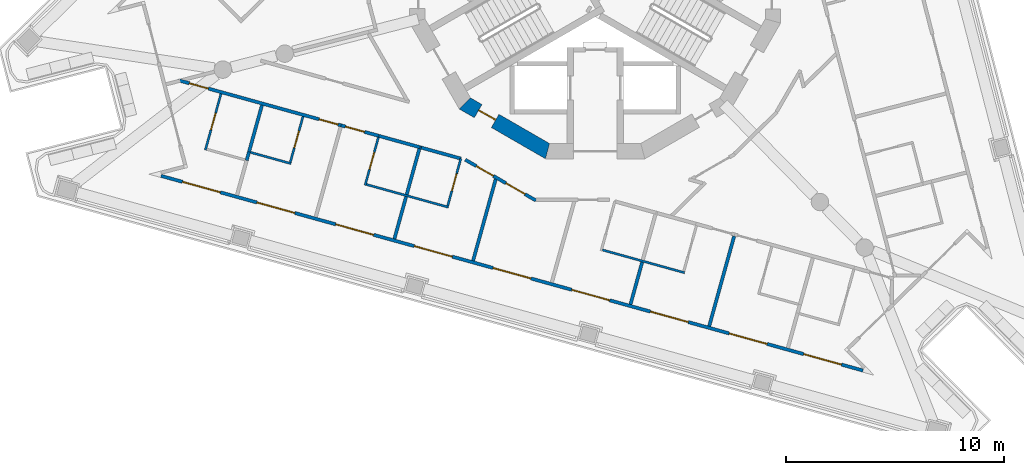
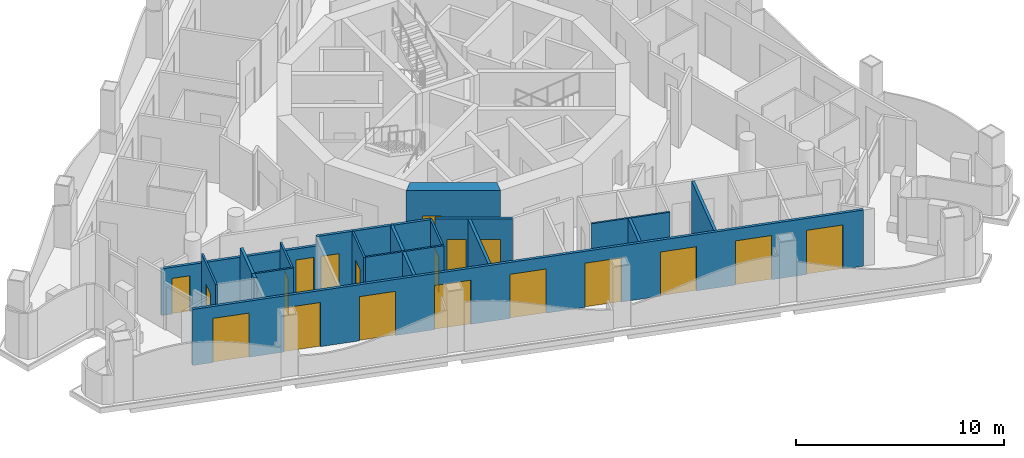
# One storey, part 2 of 15: 21 walls, 19 doors, 19 openings.
"""IFC4 building model written with IfcOpenShell, lengths in metres."""

from ifc_helpers import new_model, si_unit, direction, frame, frame_2d, origin, place, context, subcontext, project, spatial, polyline, rectangle, outline, extrude, material, layer, layer_set, type_object, element, fill, save


model = new_model("IFC4")

# Units and contexts
model_context = context("Model", 3, precision=1e-05, world=origin(), true_north=direction((0.0, 1.0)))
body_context = subcontext(model_context, "Body", "Model", "MODEL_VIEW")
ifc_project = project(units=[si_unit("LENGTHUNIT", "METRE"), si_unit("AREAUNIT", "SQUARE_METRE"), si_unit("VOLUMEUNIT", "CUBIC_METRE"), si_unit("PLANEANGLEUNIT", "RADIAN"), si_unit("MASSUNIT", "GRAM", prefix="KILO")], contexts=[model_context])

# Site, building, storey
site_placement = place(None, origin())
site = spatial("IfcSite", under=ifc_project, at=site_placement, CompositionType="ELEMENT")
building_placement = place(site_placement, origin())
building = spatial("IfcBuilding", under=site, at=building_placement, Name="Trine Commons Tower", CompositionType="ELEMENT")
storey_placement = place(building_placement, frame((0.0, 0.0, 260.10009765625)))
storey = spatial("IfcBuildingStorey", under=building, at=storey_placement, Name="L68", CompositionType="ELEMENT", Elevation=260.10009765625)

# Wall, openings, doors
ifc_material_1 = material(Name="Aluminium-framed insulated wall panel", Category="aluminium")
ifc_layer_1 = layer(ifc_material_1, 0.14990234375)
ifc_layer_set_1 = layer_set([ifc_layer_1], Name="Aluminium-framed insulated wall panel")
wall_type_1 = type_object("IfcWallType", Name="Glazed frame wall 150, EI 60", PredefinedType="SOLIDWALL", material=ifc_layer_set_1)
wall_1_placement = place(storey_placement, frame((92.4189453125, 44.2548828125, 0.0), z_axis=(0.0, 0.0, 1.0), x_axis=(-0.963630586427, 0.267237895708, 0.0)))
wall_1 = element("IfcWall", 1, at=wall_1_placement, inside=storey, type_object=wall_type_1, Name="Glazed frame wall F3", PredefinedType="SOLIDWALL", context=body_context, shape_type="SweptSolid", body=[
    extrude(outline(polyline([(0.1494140625, 0.074951171875), (0.1494140625, -0.074951171875), (33.536865234375, -0.074951171875), (33.536865234375, 0.074951171875), (0.1494140625, 0.074951171875)])), origin(), (0.0, 0.0, 1.0), 3.2998046875),
])
opening_1_placement = place(wall_1_placement, frame((1.17138671875, 0.0, 0.0)))
opening_1 = element("IfcOpeningElement", 2, at=opening_1_placement, cuts=wall_1, Name="Opening BD-7F3-01", PredefinedType="OPENING", context=body_context, shape_type="SweptSolid", body=[
    extrude(rectangle(XDim=1.800048828125, YDim=2.60009765625, at=frame_2d((0.89990234375, 1.300048828125))), frame((0.0, 0.0849609375, 0.0), z_axis=(0.0, -1.0, 0.0), x_axis=(1.0, 0.0, 0.0)), (0.0, 0.0, 1.0), 0.169921875),
])
opening_2_placement = place(wall_1_placement, frame((4.71435546875, 0.0, 0.0)))
opening_2 = element("IfcOpeningElement", 3, at=opening_2_placement, cuts=wall_1, Name="Opening BD-7F3-02", PredefinedType="OPENING", context=body_context, shape_type="SweptSolid", body=[
    extrude(rectangle(XDim=1.800048828125, YDim=2.60009765625, at=frame_2d((0.89990234375, 1.300048828125))), frame((0.0, 0.0849609375, 0.0), z_axis=(0.0, -1.0, 0.0), x_axis=(1.0, 0.0, 0.0)), (0.0, 0.0, 1.0), 0.169921875),
])
opening_3_placement = place(wall_1_placement, frame((8.457275390625, 0.0, 0.0)))
opening_3 = element("IfcOpeningElement", 4, at=opening_3_placement, cuts=wall_1, Name="Opening BD-7F3-03", PredefinedType="OPENING", context=body_context, shape_type="SweptSolid", body=[
    extrude(rectangle(XDim=1.800048828125, YDim=2.60009765625, at=frame_2d((0.89990234375, 1.300048828125))), frame((0.0, 0.0849609375, 0.0), z_axis=(0.0, -1.0, 0.0), x_axis=(1.0, 0.0, 0.0)), (0.0, 0.0, 1.0), 0.169921875),
])
opening_4_placement = place(wall_1_placement, frame((12.2001953125, 0.0, 0.0)))
opening_4 = element("IfcOpeningElement", 5, at=opening_4_placement, cuts=wall_1, Name="Opening BD-7F3-04", PredefinedType="OPENING", context=body_context, shape_type="SweptSolid", body=[
    extrude(rectangle(XDim=1.800048828125, YDim=2.60009765625, at=frame_2d((0.89990234375, 1.300048828125))), frame((0.0, 0.0849609375, 0.0), z_axis=(0.0, -1.0, 0.0), x_axis=(1.0, 0.0, 0.0)), (0.0, 0.0, 1.0), 0.169921875),
])
opening_5_placement = place(wall_1_placement, frame((15.943115234375, 0.0, 0.0)))
opening_5 = element("IfcOpeningElement", 6, at=opening_5_placement, cuts=wall_1, Name="Opening BD-7F3-05", PredefinedType="OPENING", context=body_context, shape_type="SweptSolid", body=[
    extrude(rectangle(XDim=1.800048828125, YDim=2.60009765625, at=frame_2d((0.89990234375, 1.300048828125))), frame((0.0, 0.0849609375, 0.0), z_axis=(0.0, -1.0, 0.0), x_axis=(1.0, 0.0, 0.0)), (0.0, 0.0, 1.0), 0.169921875),
])
opening_6_placement = place(wall_1_placement, frame((19.68603515625, 0.0, 0.0)))
opening_6 = element("IfcOpeningElement", 7, at=opening_6_placement, cuts=wall_1, Name="Opening BD-7F3-06", PredefinedType="OPENING", context=body_context, shape_type="SweptSolid", body=[
    extrude(rectangle(XDim=1.800048828125, YDim=2.60009765625, at=frame_2d((0.89990234375, 1.300048828125))), frame((0.0, 0.0849609375, 0.0), z_axis=(0.0, -1.0, 0.0), x_axis=(1.0, 0.0, 0.0)), (0.0, 0.0, 1.0), 0.169921875),
])
opening_7_placement = place(wall_1_placement, frame((23.428955078125, 0.0, 0.0)))
opening_7 = element("IfcOpeningElement", 8, at=opening_7_placement, cuts=wall_1, Name="Opening BD-7F3-07", PredefinedType="OPENING", context=body_context, shape_type="SweptSolid", body=[
    extrude(rectangle(XDim=1.800048828125, YDim=2.60009765625, at=frame_2d((0.89990234375, 1.300048828125))), frame((0.0, 0.0849609375, 0.0), z_axis=(0.0, -1.0, 0.0), x_axis=(1.0, 0.0, 0.0)), (0.0, 0.0, 1.0), 0.169921875),
])
opening_8_placement = place(wall_1_placement, frame((27.171875, 0.0, 0.0)))
opening_8 = element("IfcOpeningElement", 9, at=opening_8_placement, cuts=wall_1, Name="Opening BD-7F3-08", PredefinedType="OPENING", context=body_context, shape_type="SweptSolid", body=[
    extrude(rectangle(XDim=1.800048828125, YDim=2.60009765625, at=frame_2d((0.89990234375, 1.300048828125))), frame((0.0, 0.0849609375, 0.0), z_axis=(0.0, -1.0, 0.0), x_axis=(1.0, 0.0, 0.0)), (0.0, 0.0, 1.0), 0.169921875),
])
opening_9_placement = place(wall_1_placement, frame((30.714599609375, 0.0, 0.0)))
opening_9 = element("IfcOpeningElement", 10, at=opening_9_placement, cuts=wall_1, Name="Opening BD-7F3-09", PredefinedType="OPENING", context=body_context, shape_type="SweptSolid", body=[
    extrude(rectangle(XDim=1.800048828125, YDim=2.60009765625, at=frame_2d((0.89990234375, 1.300048828125))), frame((0.0, 0.0849609375, 0.0), z_axis=(0.0, -1.0, 0.0), x_axis=(1.0, 0.0, 0.0)), (0.0, 0.0, 1.0), 0.169921875),
])
ifc_material_2 = material(Name="Anodised aluminium frame with double glazing", Category="aluminium")
door_type_1 = type_object("IfcDoorType", Name="Sliding loggia door 1800x2600", OperationType="SLIDING_TO_LEFT", PredefinedType="DOOR", material=ifc_material_2)
door_1_placement = place(opening_1_placement, origin())
door_1 = element("IfcDoor", 11, at=door_1_placement, inside=storey, type_object=door_type_1, Name="Loggia door F3 1", OperationType="SLIDING_TO_LEFT", OverallHeight=2.60009765625, OverallWidth=1.800048828125, PredefinedType="DOOR", context=body_context, shape_type="SweptSolid", body=[
    extrude(rectangle(XDim=1.800048828125, YDim=2.60009765625, at=frame_2d((0.89990234375, 1.300048828125))), frame((0.0, 0.02490234375, 0.0), z_axis=(0.0, -1.0, 0.0), x_axis=(1.0, 0.0, 0.0)), (0.0, 0.0, 1.0), 0.050048828125),
])
fill(opening_1, door_1)
door_2_placement = place(opening_2_placement, origin())
door_2 = element("IfcDoor", 12, at=door_2_placement, inside=storey, type_object=door_type_1, Name="Loggia door F3 2", OperationType="SLIDING_TO_LEFT", OverallHeight=2.60009765625, OverallWidth=1.800048828125, PredefinedType="DOOR", context=body_context, shape_type="SweptSolid", body=[
    extrude(rectangle(XDim=1.800048828125, YDim=2.60009765625, at=frame_2d((0.89990234375, 1.300048828125))), frame((0.0, 0.02490234375, 0.0), z_axis=(0.0, -1.0, 0.0), x_axis=(1.0, 0.0, 0.0)), (0.0, 0.0, 1.0), 0.050048828125),
])
fill(opening_2, door_2)
door_3_placement = place(opening_3_placement, origin())
door_3 = element("IfcDoor", 13, at=door_3_placement, inside=storey, type_object=door_type_1, Name="Loggia door F3 3", OperationType="SLIDING_TO_LEFT", OverallHeight=2.60009765625, OverallWidth=1.800048828125, PredefinedType="DOOR", context=body_context, shape_type="SweptSolid", body=[
    extrude(rectangle(XDim=1.800048828125, YDim=2.60009765625, at=frame_2d((0.89990234375, 1.300048828125))), frame((0.0, 0.02490234375, 0.0), z_axis=(0.0, -1.0, 0.0), x_axis=(1.0, 0.0, 0.0)), (0.0, 0.0, 1.0), 0.050048828125),
])
fill(opening_3, door_3)
door_4_placement = place(opening_4_placement, origin())
door_4 = element("IfcDoor", 14, at=door_4_placement, inside=storey, type_object=door_type_1, Name="Loggia door F3 4", OperationType="SLIDING_TO_LEFT", OverallHeight=2.60009765625, OverallWidth=1.800048828125, PredefinedType="DOOR", context=body_context, shape_type="SweptSolid", body=[
    extrude(rectangle(XDim=1.800048828125, YDim=2.60009765625, at=frame_2d((0.89990234375, 1.300048828125))), frame((0.0, 0.02490234375, 0.0), z_axis=(0.0, -1.0, 0.0), x_axis=(1.0, 0.0, 0.0)), (0.0, 0.0, 1.0), 0.050048828125),
])
fill(opening_4, door_4)
door_5_placement = place(opening_5_placement, origin())
door_5 = element("IfcDoor", 15, at=door_5_placement, inside=storey, type_object=door_type_1, Name="Loggia door F3 5", OperationType="SLIDING_TO_LEFT", OverallHeight=2.60009765625, OverallWidth=1.800048828125, PredefinedType="DOOR", context=body_context, shape_type="SweptSolid", body=[
    extrude(rectangle(XDim=1.800048828125, YDim=2.60009765625, at=frame_2d((0.89990234375, 1.300048828125))), frame((0.0, 0.02490234375, 0.0), z_axis=(0.0, -1.0, 0.0), x_axis=(1.0, 0.0, 0.0)), (0.0, 0.0, 1.0), 0.050048828125),
])
fill(opening_5, door_5)
door_6_placement = place(opening_6_placement, origin())
door_6 = element("IfcDoor", 16, at=door_6_placement, inside=storey, type_object=door_type_1, Name="Loggia door F3 6", OperationType="SLIDING_TO_LEFT", OverallHeight=2.60009765625, OverallWidth=1.800048828125, PredefinedType="DOOR", context=body_context, shape_type="SweptSolid", body=[
    extrude(rectangle(XDim=1.800048828125, YDim=2.60009765625, at=frame_2d((0.89990234375, 1.300048828125))), frame((0.0, 0.02490234375, 0.0), z_axis=(0.0, -1.0, 0.0), x_axis=(1.0, 0.0, 0.0)), (0.0, 0.0, 1.0), 0.050048828125),
])
fill(opening_6, door_6)
door_7_placement = place(opening_7_placement, origin())
door_7 = element("IfcDoor", 17, at=door_7_placement, inside=storey, type_object=door_type_1, Name="Loggia door F3 7", OperationType="SLIDING_TO_LEFT", OverallHeight=2.60009765625, OverallWidth=1.800048828125, PredefinedType="DOOR", context=body_context, shape_type="SweptSolid", body=[
    extrude(rectangle(XDim=1.800048828125, YDim=2.60009765625, at=frame_2d((0.89990234375, 1.300048828125))), frame((0.0, 0.02490234375, 0.0), z_axis=(0.0, -1.0, 0.0), x_axis=(1.0, 0.0, 0.0)), (0.0, 0.0, 1.0), 0.050048828125),
])
fill(opening_7, door_7)
door_8_placement = place(opening_8_placement, origin())
door_8 = element("IfcDoor", 18, at=door_8_placement, inside=storey, type_object=door_type_1, Name="Loggia door F3 8", OperationType="SLIDING_TO_LEFT", OverallHeight=2.60009765625, OverallWidth=1.800048828125, PredefinedType="DOOR", context=body_context, shape_type="SweptSolid", body=[
    extrude(rectangle(XDim=1.800048828125, YDim=2.60009765625, at=frame_2d((0.89990234375, 1.300048828125))), frame((0.0, 0.02490234375, 0.0), z_axis=(0.0, -1.0, 0.0), x_axis=(1.0, 0.0, 0.0)), (0.0, 0.0, 1.0), 0.050048828125),
])
fill(opening_8, door_8)
door_9_placement = place(opening_9_placement, origin())
door_9 = element("IfcDoor", 19, at=door_9_placement, inside=storey, type_object=door_type_1, Name="Loggia door F3 9", OperationType="SLIDING_TO_LEFT", OverallHeight=2.60009765625, OverallWidth=1.800048828125, PredefinedType="DOOR", context=body_context, shape_type="SweptSolid", body=[
    extrude(rectangle(XDim=1.800048828125, YDim=2.60009765625, at=frame_2d((0.89990234375, 1.300048828125))), frame((0.0, 0.02490234375, 0.0), z_axis=(0.0, -1.0, 0.0), x_axis=(1.0, 0.0, 0.0)), (0.0, 0.0, 1.0), 0.050048828125),
])
fill(opening_9, door_9)

# Wall, opening, door
ifc_material_3 = material(Name="Concrete C50/60", Category="concrete")
ifc_layer_2 = layer(ifc_material_3, 0.699951171875)
ifc_layer_set_2 = layer_set([ifc_layer_2], Name="Concrete C50/60")
wall_type_2 = type_object("IfcWallType", Name="RC shear wall 700 mm, C50/60", PredefinedType="SHEAR", material=ifc_layer_set_2)
wall_2_placement = place(storey_placement, frame((73.952392578125, 56.58056640625, 0.0), z_axis=(0.0, 0.0, 1.0), x_axis=(0.866034756103, -0.499983800959, 0.0)))
wall_2 = element("IfcWall", 20, at=wall_2_placement, inside=storey, type_object=wall_type_2, Name="Core wall CWG-09 L68", PredefinedType="SHEAR", context=body_context, shape_type="SweptSolid", body=[
    extrude(outline(polyline([(0.0, -0.35009765625), (4.55517578125, -0.35009765625), (4.36767578125, 0.35009765625), (0.1875, 0.35009765625), (0.0, -0.35009765625)])), origin(), (0.0, 0.0, 1.0), 3.599853515625),
])
opening_10_placement = place(wall_2_placement, frame((0.791015625, 0.0, 0.0)))
opening_10 = element("IfcOpeningElement", 21, at=opening_10_placement, cuts=wall_2, Name="Opening K16.15", PredefinedType="OPENING", context=body_context, shape_type="SweptSolid", body=[
    extrude(rectangle(XDim=0.89990234375, YDim=2.10009765625, at=frame_2d((0.449951171875, 1.050048828125))), frame((0.0, 0.35986328125, 0.0), z_axis=(0.0, -1.0, 0.0), x_axis=(1.0, 0.0, 0.0)), (0.0, 0.0, 1.0), 0.719970703125),
])
ifc_material_4 = material(Name="Steel door leaf, fire-rated", Category="steel")
door_type_2 = type_object("IfcDoorType", Name="Core room door, single leaf 900 x 2100, FD30S", OperationType="SINGLE_SWING_LEFT", PredefinedType="DOOR", material=ifc_material_4)
door_10_placement = place(opening_10_placement, origin())
door_10 = element("IfcDoor", 22, at=door_10_placement, inside=storey, type_object=door_type_2, Name="Door to Parcel store L68", OperationType="SINGLE_SWING_LEFT", OverallHeight=2.10009765625, OverallWidth=0.89990234375, PredefinedType="DOOR", context=body_context, shape_type="SweptSolid", body=[
    extrude(rectangle(XDim=0.89990234375, YDim=2.10009765625, at=frame_2d((0.449951171875, 1.050048828125))), frame((0.0, 0.0751953125, 0.0), z_axis=(0.0, -1.0, 0.0), x_axis=(1.0, 0.0, 0.0)), (0.0, 0.0, 1.0), 0.050048828125),
])
fill(opening_10, door_10)

# Wall, openings, doors
ifc_material_5 = material(Name="Gypsum plasterboard on steel stud", Category="steel")
ifc_layer_3 = layer(ifc_material_5, 0.14990234375)
ifc_layer_set_3 = layer_set([ifc_layer_3], Name="Gypsum plasterboard on steel stud")
wall_type_3 = type_object("IfcWallType", Name="Unit and corridor wall 150 mm, EI 60", PredefinedType="PARTITIONING", material=ifc_layer_set_3)
wall_3_placement = place(storey_placement, frame((60.898681640625, 57.59912109375, 0.0), z_axis=(0.0, 0.0, 1.0), x_axis=(0.963644845576, -0.267186473449, 0.0)))
wall_3 = element("IfcWall", 23, at=wall_3_placement, inside=storey, type_object=wall_type_3, Name="Partition 003", PredefinedType="PARTITIONING", context=body_context, shape_type="SweptSolid", body=[
    extrude(rectangle(XDim=7.81884765625, YDim=0.14990234375, at=frame_2d((3.909423828125, 0.0))), origin(), (0.0, 0.0, 1.0), 2.75),
])
opening_11_placement = place(wall_3_placement, frame((6.68994140625, 0.0, 0.0)))
opening_11 = element("IfcOpeningElement", 24, at=opening_11_placement, cuts=wall_3, Name="Opening D-7C25", PredefinedType="OPENING", context=body_context, shape_type="SweptSolid", body=[
    extrude(rectangle(XDim=0.89990234375, YDim=2.10009765625, at=frame_2d((0.449951171875, 1.050048828125))), frame((0.0, 0.0849609375, 0.0), z_axis=(0.0, -1.0, 0.0), x_axis=(1.0, 0.0, 0.0)), (0.0, 0.0, 1.0), 0.169921875),
])
opening_12_placement = place(wall_3_placement, frame((0.52294921875, 0.0, 0.0)))
opening_12 = element("IfcOpeningElement", 25, at=opening_12_placement, cuts=wall_3, Name="Opening D-7C26", PredefinedType="OPENING", context=body_context, shape_type="SweptSolid", body=[
    extrude(rectangle(XDim=0.89990234375, YDim=2.10009765625, at=frame_2d((0.449951171875, 1.050048828125))), frame((0.0, 0.0849609375, 0.0), z_axis=(0.0, -1.0, 0.0), x_axis=(1.0, 0.0, 0.0)), (0.0, 0.0, 1.0), 0.169921875),
])
ifc_material_6 = material(Name="Timber fire door set", Category="wood")
door_type_3 = type_object("IfcDoorType", Name="Bedroom door 900 x 2100, FD30S", OperationType="NOTDEFINED", PredefinedType="DOOR", material=ifc_material_6)
door_11_placement = place(opening_11_placement, frame((0.89990234375, 0.0, 0.0), z_axis=(0.0, 0.0, 1.0), x_axis=(-1.0, 0.0, 0.0)))
door_11 = element("IfcDoor", 26, at=door_11_placement, inside=storey, type_object=door_type_3, Name="Door D-7C25", OperationType="SINGLE_SWING_LEFT", OverallHeight=2.10009765625, OverallWidth=0.89990234375, PredefinedType="DOOR", context=body_context, shape_type="SweptSolid", body=[
    extrude(rectangle(XDim=0.89990234375, YDim=2.10009765625, at=frame_2d((0.449951171875, 1.050048828125))), frame((0.0, 0.02490234375, 0.0), z_axis=(0.0, -1.0, 0.0), x_axis=(1.0, 0.0, 0.0)), (0.0, 0.0, 1.0), 0.050048828125),
])
fill(opening_11, door_11)
door_12_placement = place(opening_12_placement, frame((0.89990234375, 0.0, 0.0), z_axis=(0.0, 0.0, 1.0), x_axis=(-1.0, 0.0, 0.0)))
door_12 = element("IfcDoor", 27, at=door_12_placement, inside=storey, type_object=door_type_3, Name="Door D-7C26", OperationType="SINGLE_SWING_RIGHT", OverallHeight=2.10009765625, OverallWidth=0.89990234375, PredefinedType="DOOR", context=body_context, shape_type="SweptSolid", body=[
    extrude(rectangle(XDim=0.89990234375, YDim=2.10009765625, at=frame_2d((0.449951171875, 1.050048828125))), frame((0.0, 0.02490234375, 0.0), z_axis=(0.0, -1.0, 0.0), x_axis=(1.0, 0.0, 0.0)), (0.0, 0.0, 1.0), 0.050048828125),
])
fill(opening_12, door_12)

# Walls
wall_4_placement = place(storey_placement, frame((64.027099609375, 53.925048828125, 0.0), z_axis=(0.0, 0.0, 1.0), x_axis=(0.267363070761, 0.963595863624, 0.0)))
element("IfcWall", 28, at=wall_4_placement, inside=storey, type_object=wall_type_3, Name="Partition 012", PredefinedType="PARTITIONING", context=body_context, shape_type="SweptSolid", body=[
    extrude(rectangle(XDim=0.403564453125, YDim=0.14990234375, at=frame_2d((0.20166015625, 0.0))), origin(), (0.0, 0.0, 1.0), 3.2998046875),
])
wall_5_placement = place(storey_placement, frame((64.135009765625, 54.31396484375, 0.0), z_axis=(0.0, 0.0, 1.0), x_axis=(0.267310068827, 0.963610568178, 0.0)))
element("IfcWall", 29, at=wall_5_placement, inside=storey, type_object=wall_type_3, Name="Partition 013", PredefinedType="PARTITIONING", context=body_context, shape_type="SweptSolid", body=[
    extrude(rectangle(XDim=2.225830078125, YDim=0.14990234375, at=frame_2d((1.11279296875, 0.0))), origin(), (0.0, 0.0, 1.0), 3.2998046875),
])

# Wall, opening, door
wall_6_placement = place(storey_placement, frame((68.35302734375, 55.531005859375, 0.0), z_axis=(0.0, 0.0, 1.0), x_axis=(0.963793322965, -0.266650390226, 0.0)))
wall_6 = element("IfcWall", 30, at=wall_6_placement, inside=storey, type_object=wall_type_3, Name="Partition 021", PredefinedType="PARTITIONING", context=body_context, shape_type="SweptSolid", body=[
    extrude(rectangle(XDim=1.800048828125, YDim=0.14990234375, at=frame_2d((0.89990234375, 0.0))), origin(), (0.0, 0.0, 1.0), 3.2998046875),
])
opening_13_placement = place(wall_6_placement, frame((0.21337890625, 0.0, 0.0)))
opening_13 = element("IfcOpeningElement", 31, at=opening_13_placement, cuts=wall_6, Name="Opening D-7C24", PredefinedType="OPENING", context=body_context, shape_type="SweptSolid", body=[
    extrude(rectangle(XDim=0.89990234375, YDim=2.10009765625, at=frame_2d((0.449951171875, 1.050048828125))), frame((0.0, 0.0849609375, 0.0), z_axis=(0.0, -1.0, 0.0), x_axis=(1.0, 0.0, 0.0)), (0.0, 0.0, 1.0), 0.169921875),
])
door_13_placement = place(opening_13_placement, frame((0.89990234375, 0.0, 0.0), z_axis=(0.0, 0.0, 1.0), x_axis=(-1.0, 0.0, 0.0)))
door_13 = element("IfcDoor", 32, at=door_13_placement, inside=storey, type_object=door_type_3, Name="Door D-7C24", OperationType="SINGLE_SWING_RIGHT", OverallHeight=2.10009765625, OverallWidth=0.89990234375, PredefinedType="DOOR", context=body_context, shape_type="SweptSolid", body=[
    extrude(rectangle(XDim=0.89990234375, YDim=2.10009765625, at=frame_2d((0.449951171875, 1.050048828125))), frame((0.0, 0.02490234375, 0.0), z_axis=(0.0, -1.0, 0.0), x_axis=(1.0, 0.0, 0.0)), (0.0, 0.0, 1.0), 0.050048828125),
])
fill(opening_13, door_13)

# Walls
wall_7_placement = place(storey_placement, frame((70.03173828125, 55.065185546875, 0.0), z_axis=(0.0, 0.0, 1.0), x_axis=(0.963738676237, -0.266847829154, 0.0)))
element("IfcWall", 33, at=wall_7_placement, inside=storey, type_object=wall_type_3, Name="Partition 034", PredefinedType="PARTITIONING", context=body_context, shape_type="SweptSolid", body=[
    extrude(rectangle(XDim=2.009033203125, YDim=0.14990234375, at=frame_2d((1.00439453125, 0.0))), origin(), (0.0, 0.0, 1.0), 3.2998046875),
])
wall_8_placement = place(storey_placement, frame((70.798583984375, 50.32861328125, 0.0), z_axis=(0.0, 0.0, 1.0), x_axis=(0.267174067725, 0.963648285182, 0.0)))
element("IfcWall", 34, at=wall_8_placement, inside=storey, type_object=wall_type_3, Name="Partition 036", PredefinedType="PARTITIONING", context=body_context, shape_type="SweptSolid", body=[
    extrude(rectangle(XDim=2.01025390625, YDim=0.14990234375, at=frame_2d((1.005126953125, 0.0))), origin(), (0.0, 0.0, 1.0), 3.2998046875),
])
wall_9_placement = place(storey_placement, frame((71.3623046875, 52.3623046875, 0.0), z_axis=(0.0, 0.0, 1.0), x_axis=(0.267486781111, 0.963561529914, 0.0)))
element("IfcWall", 35, at=wall_9_placement, inside=storey, type_object=wall_type_3, Name="Partition 038", PredefinedType="PARTITIONING", context=body_context, shape_type="SweptSolid", body=[
    extrude(rectangle(XDim=2.32470703125, YDim=0.14990234375, at=frame_2d((1.162353515625, 0.0))), origin(), (0.0, 0.0, 1.0), 3.2998046875),
])
wall_10_placement = place(storey_placement, frame((72.0322265625, 54.510986328125, 0.0), z_axis=(0.0, 0.0, 1.0), x_axis=(0.963675623127, -0.267075445129, 0.0)))
element("IfcWall", 36, at=wall_10_placement, inside=storey, type_object=wall_type_3, Name="Partition 041", PredefinedType="PARTITIONING", context=body_context, shape_type="SweptSolid", body=[
    extrude(rectangle(XDim=1.883056640625, YDim=0.14990234375, at=frame_2d((0.94140625, 0.0))), origin(), (0.0, 0.0, 1.0), 3.2998046875),
])

# Wall, openings, doors
wall_11_placement = place(storey_placement, frame((74.049072265625, 53.9560546875, 0.0), z_axis=(0.0, 0.0, 1.0), x_axis=(0.865974487503, -0.500088179218, 0.0)))
wall_11 = element("IfcWall", 37, at=wall_11_placement, inside=storey, type_object=wall_type_3, Name="Partition 045", PredefinedType="PARTITIONING", context=body_context, shape_type="SweptSolid", body=[
    extrude(rectangle(XDim=3.736572265625, YDim=0.14990234375, at=frame_2d((1.8681640625, 0.0))), origin(), (0.0, 0.0, 1.0), 3.2998046875),
])
opening_14_placement = place(wall_11_placement, frame((2.146728515625, 0.0, 0.0)))
opening_14 = element("IfcOpeningElement", 38, at=opening_14_placement, cuts=wall_11, Name="Opening D-7C22", PredefinedType="OPENING", context=body_context, shape_type="SweptSolid", body=[
    extrude(rectangle(XDim=1.0, YDim=2.10009765625, at=frame_2d((0.5, 1.050048828125))), frame((0.0, 0.0849609375, 0.0), z_axis=(0.0, -1.0, 0.0), x_axis=(1.0, 0.0, 0.0)), (0.0, 0.0, 1.0), 0.169921875),
])
opening_15_placement = place(wall_11_placement, frame((0.581787109375, 0.0, 0.0)))
opening_15 = element("IfcOpeningElement", 39, at=opening_15_placement, cuts=wall_11, Name="Opening D-7C23", PredefinedType="OPENING", context=body_context, shape_type="SweptSolid", body=[
    extrude(rectangle(XDim=0.89990234375, YDim=2.10009765625, at=frame_2d((0.449951171875, 1.050048828125))), frame((0.0, 0.0849609375, 0.0), z_axis=(0.0, -1.0, 0.0), x_axis=(1.0, 0.0, 0.0)), (0.0, 0.0, 1.0), 0.169921875),
])
door_14_placement = place(opening_15_placement, frame((0.89990234375, 0.0, 0.0), z_axis=(0.0, 0.0, 1.0), x_axis=(-1.0, 0.0, 0.0)))
door_14 = element("IfcDoor", 40, at=door_14_placement, inside=storey, type_object=door_type_3, Name="Door D-7C23", OperationType="SINGLE_SWING_RIGHT", OverallHeight=2.10009765625, OverallWidth=0.89990234375, PredefinedType="DOOR", context=body_context, shape_type="SweptSolid", body=[
    extrude(rectangle(XDim=0.89990234375, YDim=2.10009765625, at=frame_2d((0.449951171875, 1.050048828125))), frame((0.0, 0.02490234375, 0.0), z_axis=(0.0, -1.0, 0.0), x_axis=(1.0, 0.0, 0.0)), (0.0, 0.0, 1.0), 0.050048828125),
])
fill(opening_15, door_14)
ifc_material_7 = material(Name="Painted timber", Category="wood")
door_type_4 = type_object("IfcDoorType", Name="Toilet door 1000 x 2100, NOT RATED", OperationType="NOTDEFINED", PredefinedType="DOOR", material=ifc_material_7)
door_15_placement = place(opening_14_placement, frame((1.0, 0.0, 0.0), z_axis=(0.0, 0.0, 1.0), x_axis=(-1.0, 0.0, 0.0)))
door_15 = element("IfcDoor", 41, at=door_15_placement, inside=storey, type_object=door_type_4, Name="Door D-7C22", OperationType="SINGLE_SWING_LEFT", OverallHeight=2.10009765625, OverallWidth=1.0, PredefinedType="DOOR", context=body_context, shape_type="SweptSolid", body=[
    extrude(rectangle(XDim=1.0, YDim=2.10009765625, at=frame_2d((0.5, 1.050048828125))), frame((0.0, 0.02490234375, 0.0), z_axis=(0.0, -1.0, 0.0), x_axis=(1.0, 0.0, 0.0)), (0.0, 0.0, 1.0), 0.050048828125),
])
fill(opening_14, door_15)

# Walls
wall_12_placement = place(storey_placement, frame((74.40478515625, 49.32861328125, 0.0), z_axis=(0.0, 0.0, 1.0), x_axis=(0.2672836333, 0.963617901126, 0.0)))
element("IfcWall", 42, at=wall_12_placement, inside=storey, type_object=wall_type_3, Name="Partition 047", PredefinedType="PARTITIONING", context=body_context, shape_type="SweptSolid", body=[
    extrude(rectangle(XDim=3.880126953125, YDim=0.14990234375, at=frame_2d((1.93994140625, 0.0))), origin(), (0.0, 0.0, 1.0), 3.2998046875),
])
wall_13_placement = place(storey_placement, frame((81.61865234375, 47.327392578125, 0.0), z_axis=(0.0, 0.0, 1.0), x_axis=(0.267030036117, 0.963688206741, 0.0)))
element("IfcWall", 43, at=wall_13_placement, inside=storey, type_object=wall_type_3, Name="Partition 062", PredefinedType="PARTITIONING", context=body_context, shape_type="SweptSolid", body=[
    extrude(rectangle(XDim=2.010498046875, YDim=0.14990234375, at=frame_2d((1.00537109375, 0.0))), origin(), (0.0, 0.0, 1.0), 3.2998046875),
])
wall_14_placement = place(storey_placement, frame((85.2255859375, 46.327392578125, 0.0), z_axis=(0.0, 0.0, 1.0), x_axis=(0.267308876537, 0.963610898924, 0.0)))
element("IfcWall", 44, at=wall_14_placement, inside=storey, type_object=wall_type_3, Name="Partition 077", PredefinedType="PARTITIONING", context=body_context, shape_type="SweptSolid", body=[
    extrude(rectangle(XDim=4.285400390625, YDim=0.14990234375, at=frame_2d((2.142578125, 0.0))), origin(), (0.0, 0.0, 1.0), 3.2998046875),
])

# Wall, opening, door
ifc_layer_4 = layer(ifc_material_5, 0.10009765625)
ifc_layer_set_4 = layer_set([ifc_layer_4], Name="Gypsum plasterboard on steel stud")
wall_type_4 = type_object("IfcWallType", Name="Unit partition 100 mm, no rating", PredefinedType="PARTITIONING", material=ifc_layer_set_4)
wall_15_placement = place(storey_placement, frame((62.135498046875, 54.40185546875, 0.0), z_axis=(0.0, 0.0, 1.0), x_axis=(0.267384985652, 0.963589782764, 0.0)))
wall_15 = element("IfcWall", 45, at=wall_15_placement, inside=storey, type_object=wall_type_4, Name="Partition 005", PredefinedType="PARTITIONING", context=body_context, shape_type="SweptSolid", body=[
    extrude(rectangle(XDim=2.67529296875, YDim=0.10009765625, at=frame_2d((1.337646484375, 0.0))), origin(), (0.0, 0.0, 1.0), 3.2998046875),
])
opening_16_placement = place(wall_15_placement, frame((0.962646484375, 0.0, 0.0)))
opening_16 = element("IfcOpeningElement", 46, at=opening_16_placement, cuts=wall_15, Name="Opening D-7C46", PredefinedType="OPENING", context=body_context, shape_type="SweptSolid", body=[
    extrude(rectangle(XDim=0.800048828125, YDim=2.10009765625, at=frame_2d((0.39990234375, 1.050048828125))), frame((0.0, 0.06005859375, 0.0), z_axis=(0.0, -1.0, 0.0), x_axis=(1.0, 0.0, 0.0)), (0.0, 0.0, 1.0), 0.1201171875),
])
door_type_5 = type_object("IfcDoorType", Name="Internal door 800 x 2100, NOT RATED", OperationType="NOTDEFINED", PredefinedType="DOOR", material=ifc_material_7)
door_16_placement = place(opening_16_placement, origin())
door_16 = element("IfcDoor", 47, at=door_16_placement, inside=storey, type_object=door_type_5, Name="Door D-7C46", OperationType="SINGLE_SWING_RIGHT", OverallHeight=2.10009765625, OverallWidth=0.800048828125, PredefinedType="DOOR", context=body_context, shape_type="SweptSolid", body=[
    extrude(rectangle(XDim=0.800048828125, YDim=2.10009765625, at=frame_2d((0.39990234375, 1.050048828125))), frame((0.0, 0.02490234375, 0.0), z_axis=(0.0, -1.0, 0.0), x_axis=(1.0, 0.0, 0.0)), (0.0, 0.0, 1.0), 0.050048828125),
])
fill(opening_16, door_16)

# Wall
wall_16_placement = place(storey_placement, frame((64.207275390625, 54.2939453125, 0.0), z_axis=(0.0, 0.0, 1.0), x_axis=(0.963634107358, -0.26722519929, 0.0)))
element("IfcWall", 48, at=wall_16_placement, inside=storey, type_object=wall_type_4, Name="Partition 014", PredefinedType="PARTITIONING", context=body_context, shape_type="SweptSolid", body=[
    extrude(rectangle(XDim=1.925048828125, YDim=0.10009765625, at=frame_2d((0.96240234375, 0.0))), origin(), (0.0, 0.0, 1.0), 3.2998046875),
])

# Wall, opening, door
wall_17_placement = place(storey_placement, frame((66.02734375, 53.84130859375, 0.0), z_axis=(0.0, 0.0, 1.0), x_axis=(0.26741803736, 0.963580610688, 0.0)))
wall_17 = element("IfcWall", 49, at=wall_17_placement, inside=storey, type_object=wall_type_4, Name="Partition 017", PredefinedType="PARTITIONING", context=body_context, shape_type="SweptSolid", body=[
    extrude(rectangle(XDim=2.174560546875, YDim=0.10009765625, at=frame_2d((1.08740234375, 0.0))), origin(), (0.0, 0.0, 1.0), 3.2998046875),
])
opening_17_placement = place(wall_17_placement, frame((0.6875, 0.0, 0.0)))
opening_17 = element("IfcOpeningElement", 50, at=opening_17_placement, cuts=wall_17, Name="Opening D-7C45", PredefinedType="OPENING", context=body_context, shape_type="SweptSolid", body=[
    extrude(rectangle(XDim=0.800048828125, YDim=2.10009765625, at=frame_2d((0.39990234375, 1.050048828125))), frame((0.0, 0.06005859375, 0.0), z_axis=(0.0, -1.0, 0.0), x_axis=(1.0, 0.0, 0.0)), (0.0, 0.0, 1.0), 0.1201171875),
])
door_17_placement = place(opening_17_placement, frame((0.800048828125, 0.0, 0.0), z_axis=(0.0, 0.0, 1.0), x_axis=(-1.0, 0.0, 0.0)))
door_17 = element("IfcDoor", 51, at=door_17_placement, inside=storey, type_object=door_type_5, Name="Door D-7C45", OperationType="SINGLE_SWING_LEFT", OverallHeight=2.10009765625, OverallWidth=0.800048828125, PredefinedType="DOOR", context=body_context, shape_type="SweptSolid", body=[
    extrude(rectangle(XDim=0.800048828125, YDim=2.10009765625, at=frame_2d((0.39990234375, 1.050048828125))), frame((0.0, 0.02490234375, 0.0), z_axis=(0.0, -1.0, 0.0), x_axis=(1.0, 0.0, 0.0)), (0.0, 0.0, 1.0), 0.050048828125),
])
fill(opening_17, door_17)

wall_18_placement = place(storey_placement, frame((69.45654296875, 52.786865234375, 0.0), z_axis=(0.0, 0.0, 1.0), x_axis=(0.267056991967, 0.963680737092, 0.0)))
wall_18 = element("IfcWall", 52, at=wall_18_placement, inside=storey, type_object=wall_type_4, Name="Partition 028", PredefinedType="PARTITIONING", context=body_context, shape_type="SweptSolid", body=[
    extrude(rectangle(XDim=2.2744140625, YDim=0.10009765625, at=frame_2d((1.13720703125, 0.0))), origin(), (0.0, 0.0, 1.0), 3.2998046875),
])
opening_18_placement = place(wall_18_placement, frame((0.76220703125, 0.0, 0.0)))
opening_18 = element("IfcOpeningElement", 53, at=opening_18_placement, cuts=wall_18, Name="Opening D-7C44", PredefinedType="OPENING", context=body_context, shape_type="SweptSolid", body=[
    extrude(rectangle(XDim=0.800048828125, YDim=2.10009765625, at=frame_2d((0.39990234375, 1.050048828125))), frame((0.0, 0.06005859375, 0.0), z_axis=(0.0, -1.0, 0.0), x_axis=(1.0, 0.0, 0.0)), (0.0, 0.0, 1.0), 0.1201171875),
])
door_18_placement = place(opening_18_placement, origin())
door_18 = element("IfcDoor", 54, at=door_18_placement, inside=storey, type_object=door_type_5, Name="Door D-7C44", OperationType="SINGLE_SWING_RIGHT", OverallHeight=2.10009765625, OverallWidth=0.800048828125, PredefinedType="DOOR", context=body_context, shape_type="SweptSolid", body=[
    extrude(rectangle(XDim=0.800048828125, YDim=2.10009765625, at=frame_2d((0.39990234375, 1.050048828125))), frame((0.0, 0.02490234375, 0.0), z_axis=(0.0, -1.0, 0.0), x_axis=(1.0, 0.0, 0.0)), (0.0, 0.0, 1.0), 0.050048828125),
])
fill(opening_18, door_18)

# Wall
wall_19_placement = place(storey_placement, frame((69.518310546875, 52.821533203125, 0.0), z_axis=(0.0, 0.0, 1.0), x_axis=(0.963639793636, -0.267204693298, 0.0)))
element("IfcWall", 55, at=wall_19_placement, inside=storey, type_object=wall_type_4, Name="Partition 029", PredefinedType="PARTITIONING", context=body_context, shape_type="SweptSolid", body=[
    extrude(rectangle(XDim=3.899658203125, YDim=0.10009765625, at=frame_2d((1.94970703125, 0.0))), origin(), (0.0, 0.0, 1.0), 3.2998046875),
])

# Wall, opening, door
wall_20_placement = place(storey_placement, frame((73.241455078125, 51.84130859375, 0.0), z_axis=(0.0, 0.0, 1.0), x_axis=(0.267403174668, 0.963584735339, 0.0)))
wall_20 = element("IfcWall", 56, at=wall_20_placement, inside=storey, type_object=wall_type_4, Name="Partition 043", PredefinedType="PARTITIONING", context=body_context, shape_type="SweptSolid", body=[
    extrude(rectangle(XDim=2.249755859375, YDim=0.10009765625, at=frame_2d((1.125, 0.0))), origin(), (0.0, 0.0, 1.0), 3.2998046875),
])
opening_19_placement = place(wall_20_placement, frame((0.724853515625, 0.0, 0.0)))
opening_19 = element("IfcOpeningElement", 57, at=opening_19_placement, cuts=wall_20, Name="Opening D-7C43", PredefinedType="OPENING", context=body_context, shape_type="SweptSolid", body=[
    extrude(rectangle(XDim=0.800048828125, YDim=2.10009765625, at=frame_2d((0.39990234375, 1.050048828125))), frame((0.0, 0.06005859375, 0.0), z_axis=(0.0, -1.0, 0.0), x_axis=(1.0, 0.0, 0.0)), (0.0, 0.0, 1.0), 0.1201171875),
])
door_19_placement = place(opening_19_placement, frame((0.800048828125, 0.0, 0.0), z_axis=(0.0, 0.0, 1.0), x_axis=(-1.0, 0.0, 0.0)))
door_19 = element("IfcDoor", 58, at=door_19_placement, inside=storey, type_object=door_type_5, Name="Door D-7C43", OperationType="SINGLE_SWING_LEFT", OverallHeight=2.10009765625, OverallWidth=0.800048828125, PredefinedType="DOOR", context=body_context, shape_type="SweptSolid", body=[
    extrude(rectangle(XDim=0.800048828125, YDim=2.10009765625, at=frame_2d((0.39990234375, 1.050048828125))), frame((0.0, 0.02490234375, 0.0), z_axis=(0.0, -1.0, 0.0), x_axis=(1.0, 0.0, 0.0)), (0.0, 0.0, 1.0), 0.050048828125),
])
fill(opening_19, door_19)

# Wall
wall_21_placement = place(storey_placement, frame((80.338134765625, 49.820556640625, 0.0), z_axis=(0.0, 0.0, 1.0), x_axis=(0.963644263235, -0.267188573734, 0.0)))
element("IfcWall", 59, at=wall_21_placement, inside=storey, type_object=wall_type_4, Name="Partition 059", PredefinedType="PARTITIONING", context=body_context, shape_type="SweptSolid", body=[
    extrude(rectangle(XDim=3.89990234375, YDim=0.10009765625, at=frame_2d((1.949951171875, 0.0))), origin(), (0.0, 0.0, 1.0), 3.2998046875),
])

save(model, "model.ifc")
